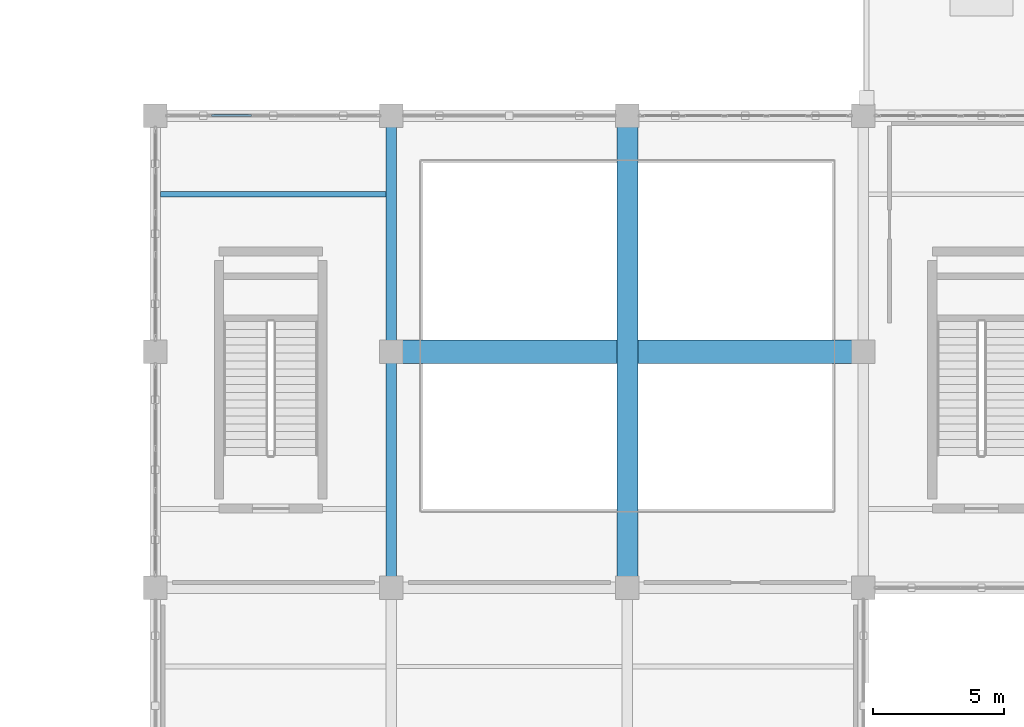
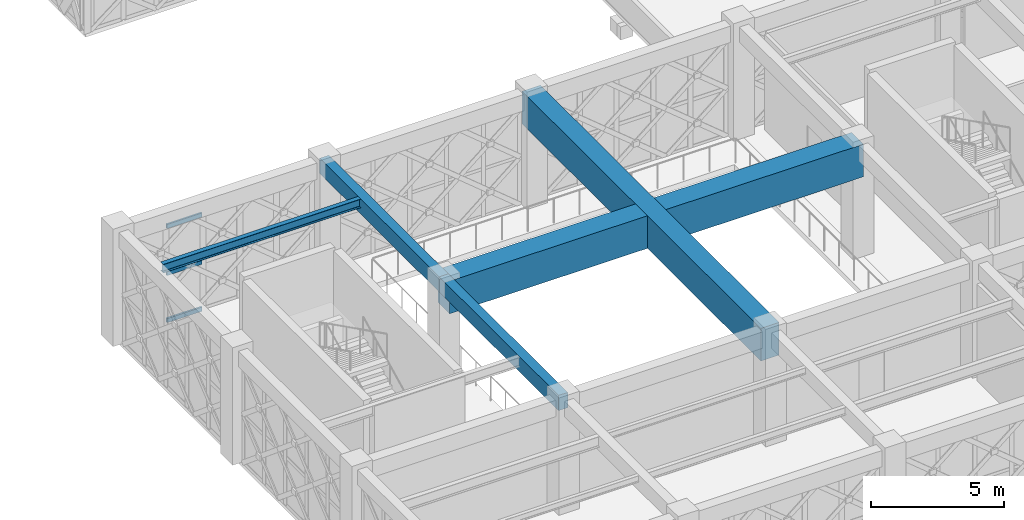
# One storey, part 58 of 155: 5 beams, 3 members, 1 element without a shape of its own.
"""IFC4 building model written with IfcOpenShell, lengths in metres."""

from ifc_helpers import new_model, si_unit, direction, frame, origin, origin_2d, place, context, subcontext, project, spatial, rectangle, hollow_rectangle, i_section, extrude, material, material_profile, profile_set, type_object, element, aggregate, save


model = new_model("IFC4")

# Units and contexts
model_context = context("Model", 3, precision=1e-05, world=origin(), true_north=direction((0.0, 1.0)))
body_context = subcontext(model_context, "Body", "Model", "MODEL_VIEW")
ifc_project = project(units=[si_unit("LENGTHUNIT", "METRE"), si_unit("AREAUNIT", "SQUARE_METRE"), si_unit("VOLUMEUNIT", "CUBIC_METRE"), si_unit("PLANEANGLEUNIT", "RADIAN"), si_unit("MASSUNIT", "GRAM", prefix="KILO")], contexts=[model_context])

# Site, building, storey
site_placement = place(None, origin())
site = spatial("IfcSite", under=ifc_project, at=site_placement, CompositionType="ELEMENT")
building_placement = place(site_placement, origin())
building = spatial("IfcBuilding", under=site, at=building_placement, Name="Haizhuo Lancet Aquarium", CompositionType="ELEMENT")
storey_placement = place(building_placement, frame((0.0, 0.0, 10.800048828125)))
storey = spatial("IfcBuildingStorey", under=building, at=storey_placement, Name="L02", CompositionType="ELEMENT", Elevation=10.800048828125)

# Beams
ifc_material_1 = material(Name="Concrete C40/50", Category="concrete")
ifc_material_profile_1 = material_profile(ifc_material_1, rectangle(XDim=0.39990234375, YDim=0.699951171875, at=origin_2d()), Name="RC-BM 400x700")
ifc_profile_set_1 = profile_set([ifc_material_profile_1], Name="Concrete C40/50")
beam_type_1 = type_object("IfcBeamType", Name="BM-RC-400x700", PredefinedType="BEAM", material=ifc_profile_set_1)
for number, where, z_axis, x_axis, name in (
    (1, (36.0, -27.0, 4.81005859375), (0.0, 1.0, 0.0), (-1.0, 0.0, 0.0), "L02 V3 primary girder BM-L02-V3-009"),
    (2, (36.0, -18.0, 4.81005859375), (0.0, 1.0, 0.0), (-1.0, 0.0, 0.0), "L02 V3 primary girder BM-L02-V3-011"),
):
    element("IfcBeam", number, at=place(storey_placement, frame(where, z_axis=z_axis, x_axis=x_axis)), inside=storey, type_object=beam_type_1, Name=name, PredefinedType="BEAM", context=body_context, shape_type="SweptSolid", body=[
        extrude(rectangle(XDim=0.39990234375, YDim=0.699951171875, at=origin_2d()), origin(), (0.0, 0.0, 1.0), 9.0),
    ])
ifc_material_2 = material(Name="Concrete C50/60", Category="concrete")
ifc_material_profile_2 = material_profile(ifc_material_2, rectangle(XDim=0.800048828125, YDim=1.5, at=origin_2d()), Name="RC-TG 800x1500")
ifc_profile_set_2 = profile_set([ifc_material_profile_2], Name="Concrete C50/60")
beam_type_2 = type_object("IfcBeamType", Name="BM-TG-800x1500", PredefinedType="USERDEFINED", material=ifc_profile_set_2)
beam_1_placement = place(storey_placement, frame((45.0, -27.0, 4.409912109375), z_axis=(0.0, 1.0, 0.0), x_axis=(-1.0, 0.0, 0.0)))
element("IfcBeam", 3, at=beam_1_placement, inside=storey, type_object=beam_type_2, Name="Transfer girder BM-L02-TG02", ObjectType="TRANSFER GIRDER", PredefinedType="USERDEFINED", context=body_context, shape_type="SweptSolid", body=[
    extrude(rectangle(XDim=0.800048828125, YDim=1.5, at=origin_2d()), origin(), (0.0, 0.0, 1.0), 18.0),
])
ifc_material_profile_3 = material_profile(ifc_material_2, rectangle(XDim=0.89990234375, YDim=1.5, at=origin_2d()), Name="RC-TG 900x1500")
ifc_profile_set_3 = profile_set([ifc_material_profile_3], Name="Concrete C50/60")
beam_type_3 = type_object("IfcBeamType", Name="BM-TG-900x1500", PredefinedType="USERDEFINED", material=ifc_profile_set_3)
beam_2_placement = place(storey_placement, frame((36.0, -18.0, 4.409912109375), z_axis=(1.0, 0.0, 0.0), x_axis=(0.0, 1.0, 0.0)))
element("IfcBeam", 4, at=beam_2_placement, inside=storey, type_object=beam_type_3, Name="Transfer girder BM-L02-TG01", ObjectType="TRANSFER GIRDER", PredefinedType="USERDEFINED", context=body_context, shape_type="SweptSolid", body=[
    extrude(rectangle(XDim=0.89990234375, YDim=1.5, at=origin_2d()), origin(), (0.0, 0.0, 1.0), 18.0),
])

# Curtain wall, members
ifc_material_3 = material(Name="Aluminium 6063-T6", Category="aluminium")
curtain_wall_type = type_object("IfcCurtainWallType", Name="CWO-8010x4410", PredefinedType="NOTDEFINED", material=ifc_material_3)
curtain_wall_placement = place(storey_placement, origin())
curtain_wall = element("IfcCurtainWall", 5, at=curtain_wall_placement, inside=storey, type_object=curtain_wall_type, Name="L02 curtain wall CW-V3-L02-051", PredefinedType="NOTDEFINED")
ifc_material_profile_4 = material_profile(ifc_material_3, hollow_rectangle(XDim=0.080078125, YDim=0.18994140625, WallThickness=0.0048828125, at=origin_2d()), Name="ALU-T 80x190x5")
ifc_profile_set_4 = profile_set([ifc_material_profile_4], Name="Aluminium 6063-T6")
member_type = type_object("IfcMemberType", Name="CW-TRN-3", PredefinedType="NOTDEFINED", material=ifc_profile_set_4)
member_1_placement = place(storey_placement, frame((29.136962890625, -9.0, 0.0400390625), z_axis=(1.0, 0.0, 0.0), x_axis=(0.0, 1.0, 0.0)))
member_1 = element("IfcMember", 6, at=member_1_placement, type_object=member_type, Name="CWO-80x44 transom 2.1", ObjectType="TRANSOM", PredefinedType="USERDEFINED", context=body_context, shape_type="SweptSolid", body=[
    extrude(hollow_rectangle(XDim=0.080078125, YDim=0.18994140625, WallThickness=0.0048828125, at=origin_2d()), origin(), (0.0, 0.0, 1.0), 1.52197265625),
])
member_2_placement = place(storey_placement, frame((29.136962890625, -9.0, 2.204833984375), z_axis=(1.0, 0.0, 0.0), x_axis=(0.0, 1.0, 0.0)))
member_2 = element("IfcMember", 7, at=member_2_placement, type_object=member_type, Name="CWO-80x44 transom 2.2", ObjectType="TRANSOM", PredefinedType="USERDEFINED", context=body_context, shape_type="SweptSolid", body=[
    extrude(hollow_rectangle(XDim=0.080078125, YDim=0.18994140625, WallThickness=0.0048828125, at=origin_2d()), origin(), (0.0, 0.0, 1.0), 1.52197265625),
])
member_3_placement = place(storey_placement, frame((29.136962890625, -9.0, 4.369873046875), z_axis=(1.0, 0.0, 0.0), x_axis=(0.0, 1.0, 0.0)))
member_3 = element("IfcMember", 8, at=member_3_placement, type_object=member_type, Name="CWO-80x44 transom 2.3", ObjectType="TRANSOM", PredefinedType="USERDEFINED", context=body_context, shape_type="SweptSolid", body=[
    extrude(hollow_rectangle(XDim=0.080078125, YDim=0.18994140625, WallThickness=0.0048828125, at=origin_2d()), origin(), (0.0, 0.0, 1.0), 1.52197265625),
])
aggregate(curtain_wall, [member_1, member_2, member_3])

# Beam
ifc_material_4 = material(Name="Steel S355", Category="steel")
ifc_material_profile_5 = material_profile(ifc_material_4, i_section(OverallWidth=0.199951171875, OverallDepth=0.39990234375, WebThickness=0.008056640625, FlangeThickness=0.012939453125, FilletRadius=0.01611328125, at=origin_2d()), Name="HN 400x200x8x13")
ifc_profile_set_5 = profile_set([ifc_material_profile_5], Name="Steel S355")
beam_type_4 = type_object("IfcBeamType", Name="JST-ST-HN400", PredefinedType="JOIST", material=ifc_profile_set_5)
beam_3_placement = place(storey_placement, frame((27.199951171875, -12.0, 4.9599609375), z_axis=(1.0, 0.0, 0.0), x_axis=(0.0, 1.0, 0.0)))
element("IfcBeam", 9, at=beam_3_placement, inside=storey, type_object=beam_type_4, Name="L02 V3 secondary floor joist 4", PredefinedType="JOIST", context=body_context, shape_type="SweptSolid", body=[
    extrude(i_section(OverallWidth=0.199951171875, OverallDepth=0.39990234375, WebThickness=0.008056640625, FlangeThickness=0.012939453125, FilletRadius=0.01611328125, at=origin_2d()), origin(), (0.0, 0.0, 1.0), 8.60009765625),
])

save(model, "model.ifc")
